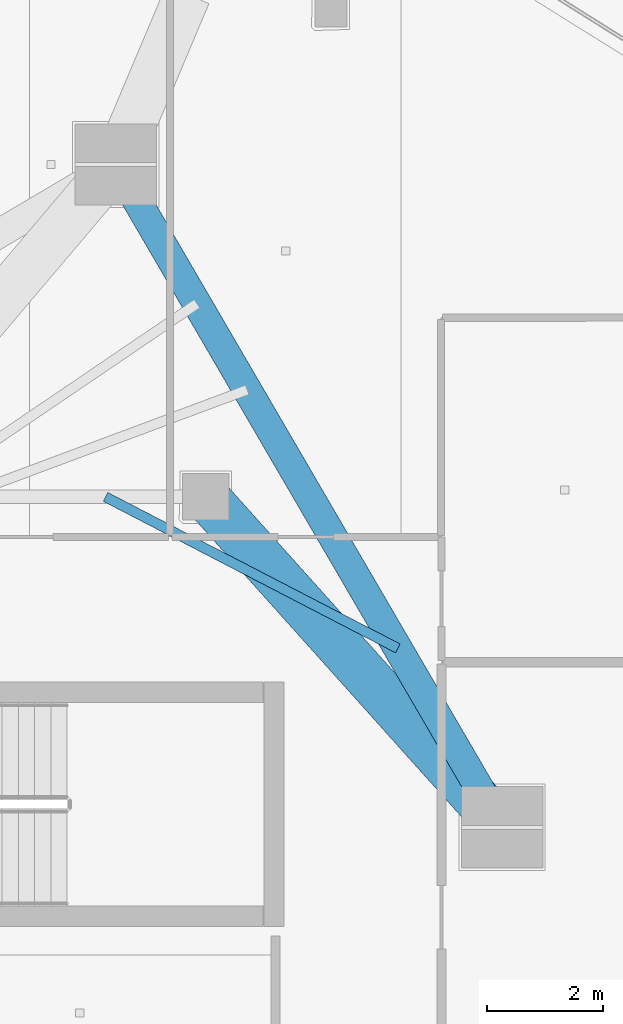
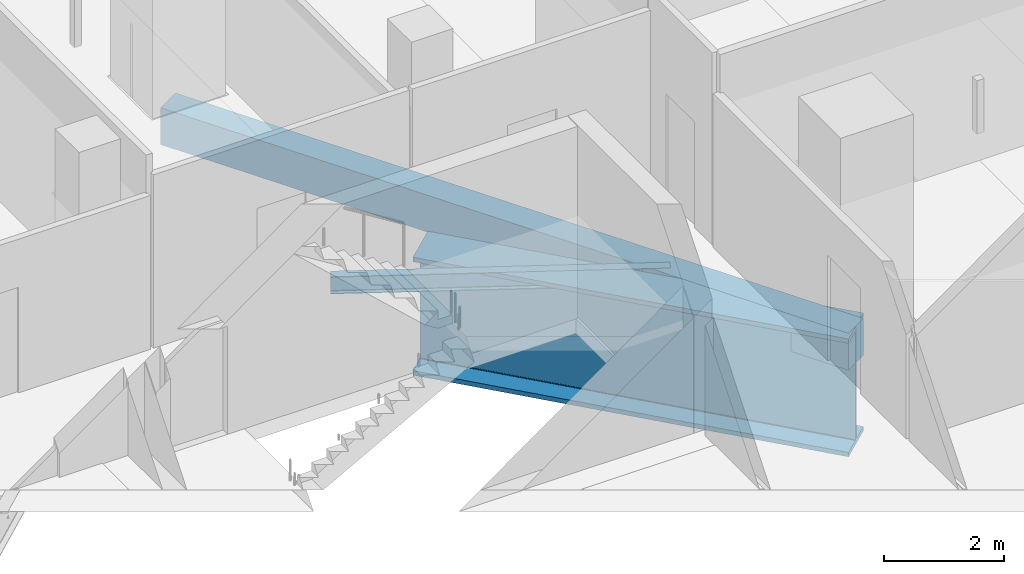
# One storey, part 16 of 29: 3 beams.
"""IFC4 building model written with IfcOpenShell, lengths in metres."""

from ifc_helpers import new_model, si_unit, direction, frame, origin, origin_2d, place, context, subcontext, project, spatial, rectangle, i_section, extrude, material, material_profile, profile_set, type_object, element, save


model = new_model("IFC4")

# Units and contexts
model_context = context("Model", 3, precision=1e-05, world=origin(), true_north=direction((0.0, 1.0)))
body_context = subcontext(model_context, "Body", "Model", "MODEL_VIEW")
ifc_project = project(units=[si_unit("LENGTHUNIT", "METRE"), si_unit("AREAUNIT", "SQUARE_METRE"), si_unit("VOLUMEUNIT", "CUBIC_METRE"), si_unit("PLANEANGLEUNIT", "RADIAN"), si_unit("MASSUNIT", "GRAM", prefix="KILO")], contexts=[model_context])

# Site, building, storey
site_placement = place(None, origin())
site = spatial("IfcSite", under=ifc_project, at=site_placement, CompositionType="ELEMENT")
building_placement = place(site_placement, origin())
building = spatial("IfcBuilding", under=site, at=building_placement, Name="Qorvath Tower", CompositionType="ELEMENT")
storey_placement = place(building_placement, frame((0.0, 0.0, 285.0)))
storey = spatial("IfcBuildingStorey", under=building, at=storey_placement, Name="L66", CompositionType="ELEMENT", Elevation=285.0)

# Beams
ifc_material_1 = material(Name="Steel ASTM A992 Grade 50", Category="steel")
ifc_material_profile_1 = material_profile(ifc_material_1, i_section(OverallWidth=0.1708984375, OverallDepth=0.35107421875, WebThickness=0.0068359375, FlangeThickness=0.009765625, FilletRadius=0.010009765625, at=origin_2d()), Name="W14x30")
ifc_profile_set_1 = profile_set([ifc_material_profile_1], Name="Steel ASTM A992 Grade 50")
beam_type_1 = type_object("IfcBeamType", Name="BM-FJ4", PredefinedType="JOIST", material=ifc_profile_set_1)
beam_1_placement = place(storey_placement, frame((-18.927978515625, 11.449951171875, -0.465576171875), z_axis=(0.887840529015, -0.460151274082, 0.0), x_axis=(0.460151274082, 0.887840529015, 0.0)))
element("IfcBeam", 1, at=beam_1_placement, inside=storey, type_object=beam_type_1, Name="Composite Floor Joist NE2 L66", PredefinedType="JOIST", context=body_context, shape_type="SweptSolid", body=[
    extrude(i_section(OverallWidth=0.1708984375, OverallDepth=0.35107421875, WebThickness=0.0068359375, FlangeThickness=0.009765625, FilletRadius=0.010009765625, at=origin_2d()), origin(), (0.0, 0.0, 1.0), 5.670654296875),
])
ifc_material_2 = material(Name="Concrete C45/55", Category="concrete")
ifc_material_profile_2 = material_profile(ifc_material_2, rectangle(XDim=0.5, YDim=0.75, at=origin_2d()), Name="RCB 750x500")
ifc_profile_set_2 = profile_set([ifc_material_profile_2], Name="Concrete C45/55")
beam_type_2 = type_object("IfcBeamType", Name="BM-RCB3", PredefinedType="SPANDREL", material=ifc_profile_set_2)
beam_2_placement = place(storey_placement, frame((-12.0966796875, 5.7578125, -0.6650390625), z_axis=(-0.503502256692, 0.863993910572, 0.0), x_axis=(-0.863993910572, -0.503502256692, 0.0)))
element("IfcBeam", 2, at=beam_2_placement, inside=storey, type_object=beam_type_2, Name="Perimeter Loggia Frame Beam MC5-MC6 L66", PredefinedType="SPANDREL", context=body_context, shape_type="SweptSolid", body=[
    extrude(rectangle(XDim=0.5, YDim=0.75, at=origin_2d()), origin(), (0.0, 0.0, 1.0), 13.215087890625),
])
ifc_material_3 = material(Name="Steel ASTM A572 Grade 50", Category="steel")
ifc_material_profile_3 = material_profile(ifc_material_3, i_section(OverallWidth=0.800048828125, OverallDepth=2.39990234375, WebThickness=0.044921875, FlangeThickness=0.090087890625, FilletRadius=0.02490234375, at=origin_2d()), Name="WTG 2400x800")
ifc_profile_set_3 = profile_set([ifc_material_profile_3], Name="Steel ASTM A572 Grade 50")
beam_type_3 = type_object("IfcBeamType", Name="BM-TG2", PredefinedType="BEAM", material=ifc_profile_set_3)
beam_3_placement = place(storey_placement, frame((-12.0966796875, 5.7578125, -1.489990234375), z_axis=(-0.667543184261, 0.744571082669, 0.0), x_axis=(-0.744571082669, -0.667543184261, 0.0)))
element("IfcBeam", 3, at=beam_3_placement, inside=storey, type_object=beam_type_3, Name="Zone Step Transfer Girder CC2-MC5 L66", PredefinedType="BEAM", context=body_context, shape_type="SweptSolid", body=[
    extrude(i_section(OverallWidth=0.800048828125, OverallDepth=2.39990234375, WebThickness=0.044921875, FlangeThickness=0.090087890625, FilletRadius=0.02490234375, at=origin_2d()), origin(), (0.0, 0.0, 1.0), 7.644775390625),
])

save(model, "model.ifc")
